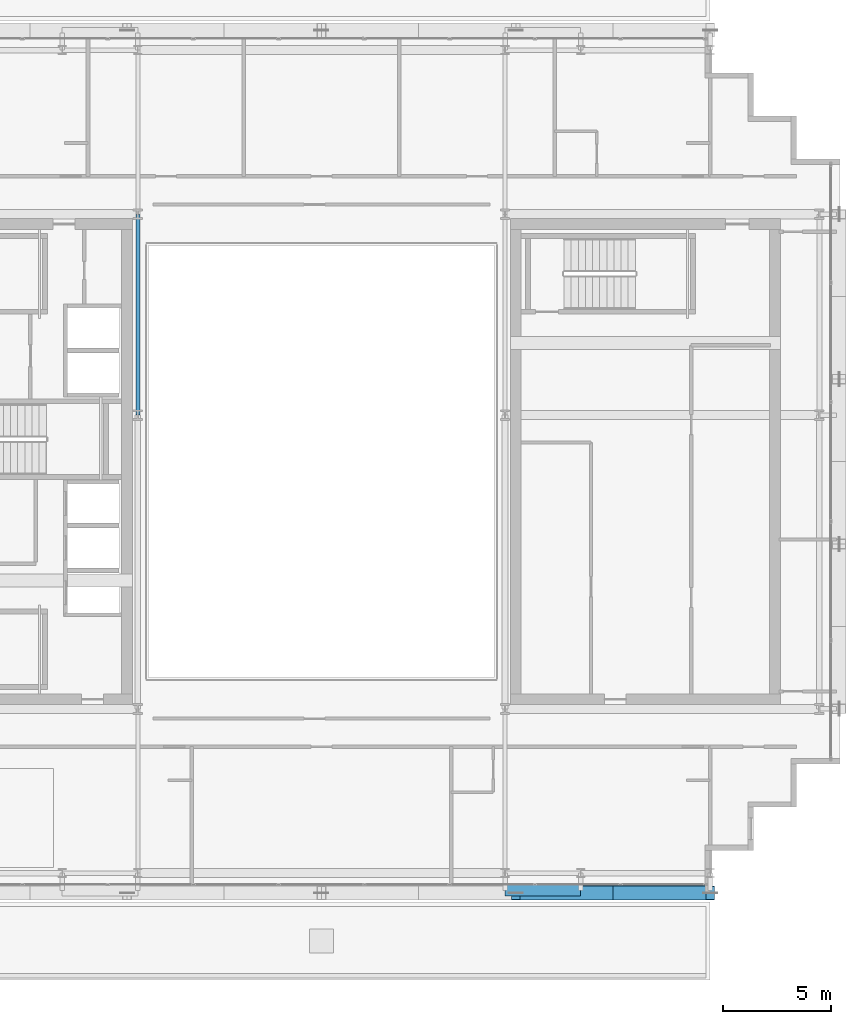
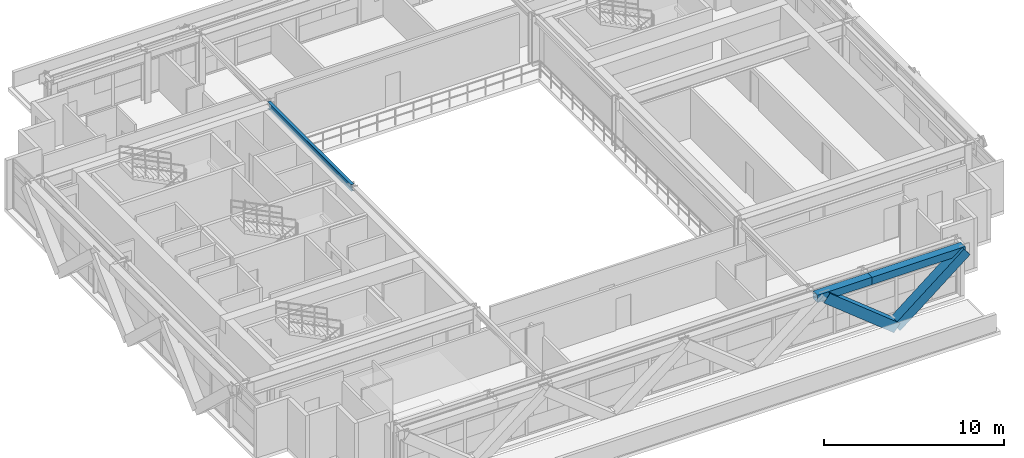
# One storey, part 9 of 34: 3 beams, 2 members.
"""IFC4 building model written with IfcOpenShell, lengths in metres."""

import ifcopenshell
import ifcopenshell.guid

model = None  # the IFC model being written
_history = None  # IfcOwnerHistory: only IFC2X3 demands one
_inside = {}  # id of a spatial element -> (the spatial element, [elements in it])
_under = {}  # id of a project, library or spatial element -> (it, [spatial elements below it])
_declared = {}  # id of a project -> (the project, [libraries it declares])
_typed = {}  # id of a type object -> (the type object, [elements of that type])
_made_of = {}  # id of a material, layer set ... -> (it, [elements and type objects made of it])


def new_model(schema):
    """Start an empty IFC model of exactly this schema.

    Asked for "IFC4X3", IfcOpenShell would pick the latest addendum, in which some entities
    have other attributes; the version numbers below select the first issue.
    IFC2X3 requires an IfcOwnerHistory on every rooted entity: one is made here for all.
    """
    global model, _history
    if schema == "IFC4X3":
        model = ifcopenshell.file(schema_version=(4, 3, 0, 0))
    else:
        model = ifcopenshell.file(schema=schema)
    _inside.clear()
    _under.clear()
    _declared.clear()
    _typed.clear()
    _made_of.clear()
    _history = None
    if model.schema == "IFC2X3":
        org = make("IfcOrganization", Name="unknown")
        user = make(
            "IfcPersonAndOrganization",
            ThePerson=make("IfcPerson", FamilyName="unknown"),
            TheOrganization=org,
        )
        app = make(
            "IfcApplication",
            ApplicationDeveloper=org,
            Version="unknown",
            ApplicationFullName="unknown",
            ApplicationIdentifier="unknown",
        )
        _history = make(
            "IfcOwnerHistory",
            OwningUser=user,
            OwningApplication=app,
            ChangeAction="ADDED",
            CreationDate=0,
        )
    return model


def make(cls, **values):
    """One entity of the class cls with the attributes given. An attribute that is None is left unset."""
    return model.create_entity(
        cls, **{name: value for name, value in values.items() if value is not None}
    )


def rooted(cls, **values):
    """An entity with a GlobalId (a new one), such as an element, a storey or a relation."""
    return make(cls, GlobalId=ifcopenshell.guid.new(), OwnerHistory=_history, **values)


def si_unit(unit_type, name, prefix=None):
    """IfcSIUnit, for example si_unit("LENGTHUNIT", "METRE", prefix="MILLI")."""
    return make("IfcSIUnit", UnitType=unit_type, Prefix=prefix, Name=name)


def assignment(units):
    """IfcUnitAssignment: the units of a project."""
    return None if units is None else make("IfcUnitAssignment", Units=units)


def point(xyz):
    """IfcCartesianPoint."""
    return None if xyz is None else make("IfcCartesianPoint", Coordinates=xyz)


def direction(xyz):
    """IfcDirection."""
    return None if xyz is None else make("IfcDirection", DirectionRatios=xyz)


def frame(location, z_axis=None, x_axis=None):
    """IfcAxis2Placement3D, a coordinate frame: its origin and axes. An axis left out is left unset."""
    return make(
        "IfcAxis2Placement3D",
        Location=point(location),
        Axis=direction(z_axis),
        RefDirection=direction(x_axis),
    )


def frame_2d(location, x_axis=None):
    """IfcAxis2Placement2D, a coordinate frame in the plane: its origin and x axis."""
    return make(
        "IfcAxis2Placement2D", Location=point(location), RefDirection=direction(x_axis)
    )


def origin():
    """The frame at (0, 0, 0) with its axes left unset."""
    return frame((0.0, 0.0, 0.0))


def origin_2d():
    """The frame at (0, 0) in the plane with its x axis left unset."""
    return frame_2d((0.0, 0.0))


def place(relative_to, where):
    """IfcLocalPlacement: puts the frame where relative to a parent placement (None: the world)."""
    return make(
        "IfcLocalPlacement", PlacementRelTo=relative_to, RelativePlacement=where
    )


def context(
    kind, dimensions, precision=None, world=None, true_north=None, identifier=None
):
    """IfcGeometricRepresentationContext, for example the 3D "Model" context."""
    return make(
        "IfcGeometricRepresentationContext",
        ContextIdentifier=identifier,
        ContextType=kind,
        CoordinateSpaceDimension=dimensions,
        Precision=precision,
        WorldCoordinateSystem=world,
        TrueNorth=true_north,
    )


def subcontext(parent, identifier, kind, view, scale=None):
    """IfcGeometricRepresentationSubContext, for example "Body" below "Model"."""
    return make(
        "IfcGeometricRepresentationSubContext",
        ContextIdentifier=identifier,
        ContextType=kind,
        ParentContext=parent,
        TargetScale=scale,
        TargetView=view,
    )


def project(units=None, contexts=None):
    """IfcProject with its units and contexts."""
    return rooted(
        "IfcProject",
        Name="project",
        RepresentationContexts=contexts,
        UnitsInContext=assignment(units),
    )


def spatial(cls, under=None, at=None, **own):
    """A site, building, storey or space (cls), placed at a placement, below another one or the project."""
    s = rooted(cls, ObjectPlacement=at, **own)
    if under is not None:
        _under.setdefault(under.id(), (under, []))[1].append(s)
    return s


def profile(cls, at=None, kind="AREA", **sizes):
    """A parametric profile (cls). Its sizes go by their IFC names, for example OverallWidth=200.0."""
    return make(cls, ProfileType=kind, Position=at, **sizes)


def hollow_rectangle(**sizes):
    """IfcRectangleHollowProfileDef."""
    return profile("IfcRectangleHollowProfileDef", **sizes)


def i_section(**sizes):
    """IfcIShapeProfileDef."""
    return profile("IfcIShapeProfileDef", **sizes)


def extrude(swept, where, along, depth):
    """IfcExtrudedAreaSolid: the profile swept, set in the frame where, extruded along a direction by depth."""
    return make(
        "IfcExtrudedAreaSolid",
        SweptArea=swept,
        Position=where,
        ExtrudedDirection=direction(along),
        Depth=depth,
    )


def shape(context_of_items, identifier, shape_type, items):
    """IfcShapeRepresentation: the items that make up one representation, for example the "Body"."""
    return make(
        "IfcShapeRepresentation",
        ContextOfItems=context_of_items,
        RepresentationIdentifier=identifier,
        RepresentationType=shape_type,
        Items=items,
    )


def source(mapping_origin, context_of_items, identifier, shape_type, items):
    """IfcRepresentationMap: a shape defined once, which mapped items show again and again."""
    return make(
        "IfcRepresentationMap",
        MappingOrigin=mapping_origin,
        MappedRepresentation=shape(context_of_items, identifier, shape_type, items),
    )


def transform(
    local_origin,
    x_axis=None,
    y_axis=None,
    z_axis=None,
    scale=None,
    scale2=None,
    scale3=None,
    uniform=True,
):
    """IfcCartesianTransformationOperator3D, or its non-uniform kind. x_axis, y_axis, z_axis: its Axis1, 2, 3."""
    if uniform:
        return make(
            "IfcCartesianTransformationOperator3D",
            Axis1=direction(x_axis),
            Axis2=direction(y_axis),
            LocalOrigin=point(local_origin),
            Scale=scale,
            Axis3=direction(z_axis),
        )
    return make(
        "IfcCartesianTransformationOperator3DnonUniform",
        Axis1=direction(x_axis),
        Axis2=direction(y_axis),
        LocalOrigin=point(local_origin),
        Scale=scale,
        Axis3=direction(z_axis),
        Scale2=scale2,
        Scale3=scale3,
    )


def mapped(mapping_source, mapping_target):
    """IfcMappedItem: shows the shape of a source again, moved by a transform."""
    return make(
        "IfcMappedItem", MappingSource=mapping_source, MappingTarget=mapping_target
    )


def material(Name=None, Category=None):
    """IfcMaterial."""
    return make("IfcMaterial", Name=Name, Category=Category)


def material_profile(
    of_material, cross_section, Name=None, Category=None, Priority=None
):
    """IfcMaterialProfile: a cross section and its material."""
    return make(
        "IfcMaterialProfile",
        Name=Name,
        Material=of_material,
        Profile=cross_section,
        Priority=Priority,
        Category=Category,
    )


def profile_set(profiles, Name=None, composite=None):
    """IfcMaterialProfileSet."""
    return make(
        "IfcMaterialProfileSet",
        Name=Name,
        MaterialProfiles=profiles,
        CompositeProfile=composite,
    )


def made_of(thing, what):
    """Note that an element or type object is made of a material, layer set ...; save() writes the relation."""
    if what is not None:
        _made_of.setdefault(what.id(), (what, []))[1].append(thing)
    return thing


def type_object(cls, material=None, **own):
    """A type object (cls), such as IfcWallType, which elements share."""
    return made_of(rooted(cls, **own), material)


def element(
    cls,
    number,
    at=None,
    inside=None,
    cuts=None,
    type_object=None,
    material=None,
    context=None,
    identifier="Body",
    shape_type=None,
    held_by="IfcProductDefinitionShape",
    body=None,
    shapes=None,
    **own,
):
    """One element of the class cls, such as IfcWall. Its Tag is "e" and its number.

    at: its placement. inside: the storey or other place that contains it. cuts: it is an
    opening in that element (IfcRelVoidsElement). A single representation is given by context,
    identifier, shape_type and body (its items); several are given by shapes. held_by: the class
    of the entity that holds the representations. save() writes the other relations.
    """
    e = rooted(cls, Tag="e%d" % number, ObjectPlacement=at, **own)
    if body is not None:
        shapes = [shape(context, identifier, shape_type, body)]
    if shapes is not None:
        e.Representation = make(held_by, Representations=shapes)
    if inside is not None:
        _inside.setdefault(inside.id(), (inside, []))[1].append(e)
    if cuts is not None:
        rooted(
            "IfcRelVoidsElement", RelatingBuildingElement=cuts, RelatedOpeningElement=e
        )
    if type_object is not None:
        _typed.setdefault(type_object.id(), (type_object, []))[1].append(e)
    return made_of(e, material)


def aggregate(whole, parts):
    """IfcRelAggregates: a whole, such as a stair, and the parts it consists of."""
    return rooted("IfcRelAggregates", RelatingObject=whole, RelatedObjects=parts)


def save(model, path):
    """Write the relations noted so far, then the file.

    IfcRelAggregates (storeys below a building ...), IfcRelContainedInSpatialStructure (elements
    in a storey), IfcRelDefinesByType, IfcRelAssociatesMaterial and IfcRelDeclares: one each for
    every whole, place, type object, material and project.
    """
    for whole, parts in _under.values():
        aggregate(whole, parts)
    for where, things in _inside.values():
        rooted(
            "IfcRelContainedInSpatialStructure",
            RelatedElements=things,
            RelatingStructure=where,
        )
    for kind, things in _typed.values():
        rooted("IfcRelDefinesByType", RelatedObjects=things, RelatingType=kind)
    for what, things in _made_of.values():
        rooted("IfcRelAssociatesMaterial", RelatedObjects=things, RelatingMaterial=what)
    for by, libraries in _declared.values():
        rooted("IfcRelDeclares", RelatingContext=by, RelatedDefinitions=libraries)
    model.write(path)


model = new_model("IFC4")

# Units and contexts
model_context = context("Model", 3, precision=1e-05, world=origin(), true_north=direction((0.0, 1.0)))
body_context = subcontext(model_context, "Body", "Model", "MODEL_VIEW")
ifc_project = project(units=[si_unit("LENGTHUNIT", "METRE"), si_unit("AREAUNIT", "SQUARE_METRE"), si_unit("VOLUMEUNIT", "CUBIC_METRE"), si_unit("PLANEANGLEUNIT", "RADIAN"), si_unit("MASSUNIT", "GRAM", prefix="KILO")], contexts=[model_context])

# Site, building, storey
site_placement = place(None, origin())
site = spatial("IfcSite", under=ifc_project, at=site_placement, CompositionType="ELEMENT")
building_placement = place(site_placement, origin())
building = spatial("IfcBuilding", under=site, at=building_placement, Name="Ocotamira Hotel", CompositionType="ELEMENT")
storey_placement = place(building_placement, frame((0.0, 0.0, 163.199951171875)))
storey = spatial("IfcBuildingStorey", under=building, at=storey_placement, Name="L40", CompositionType="ELEMENT", Elevation=163.199951171875)

# Beams
ifc_material_1 = material(Name="Steel ASTM A992 Grade 50", Category="steel")
ifc_material_profile_1 = material_profile(ifc_material_1, i_section(OverallWidth=0.18994140625, OverallDepth=0.45703125, WebThickness=0.009033203125, FlangeThickness=0.014404296875, FilletRadius=0.010009765625, at=origin_2d()), Name="W18X50")
ifc_profile_set_1 = profile_set([ifc_material_profile_1], Name="Steel ASTM A992 Grade 50")
beam_type_1 = type_object("IfcBeamType", Name="BM-SEC-W18X50", PredefinedType="JOIST", material=ifc_profile_set_1)
shared_shape_1 = source(origin(), body_context, "Body", "SweptSolid", [
    extrude(i_section(OverallWidth=0.18994140625, OverallDepth=0.45703125, WebThickness=0.009033203125, FlangeThickness=0.014404296875, FilletRadius=0.010009765625, at=origin_2d()), origin(), (0.0, 0.0, 1.0), 9.300048828125),
])
beam_1_placement = place(storey_placement, frame((23.5, 28.14990234375, 3.1416015625), z_axis=(0.0, 1.0, 0.0), x_axis=(-1.0, 0.0, 0.0)))
element("IfcBeam", 1, at=beam_1_placement, inside=storey, type_object=beam_type_1, Name="L40 Beam X23.5 Y28.15-37.45", PredefinedType="JOIST", context=body_context, shape_type="MappedRepresentation", body=[
    mapped(shared_shape_1, transform((0.0, 0.0, 0.0), scale=1.0)),
])
ifc_material_2 = material(Name="Steel ASTM A500 Grade C", Category="steel")
ifc_material_profile_2 = material_profile(ifc_material_2, hollow_rectangle(XDim=0.5, YDim=0.5, WallThickness=0.02001953125, at=origin_2d()), Name="HSS500X500X20")
ifc_profile_set_2 = profile_set([ifc_material_profile_2], Name="Steel ASTM A500 Grade C")
beam_type_2 = type_object("IfcBeamType", Name="BM-SPAN-HSS500", PredefinedType="USERDEFINED", material=ifc_profile_set_2)
shared_shape_2 = source(origin(), body_context, "Body", "SweptSolid", [
    extrude(hollow_rectangle(XDim=0.5, YDim=0.5, WallThickness=0.02001953125, at=origin_2d()), origin(), (0.0, 0.0, 1.0), 6.0),
])
beam_2_placement = place(storey_placement, frame((44.0, 6.14990234375, 3.1201171875), z_axis=(1.0, 0.0, 0.0), x_axis=(0.0, 1.0, 0.0)))
element("IfcBeam", 2, at=beam_2_placement, inside=storey, type_object=beam_type_2, Name="L40 Edge Spandrel S X44-50", ObjectType="SPANDREL", PredefinedType="USERDEFINED", context=body_context, shape_type="MappedRepresentation", body=[
    mapped(shared_shape_2, transform((0.0, 0.0, 0.0), scale=1.0)),
])
shared_shape_3 = source(origin(), body_context, "Body", "SweptSolid", [
    extrude(hollow_rectangle(XDim=0.5, YDim=0.5, WallThickness=0.02001953125, at=origin_2d()), origin(), (0.0, 0.0, 1.0), 3.5),
])
beam_3_placement = place(storey_placement, frame((40.5, 6.14990234375, 3.1201171875), z_axis=(1.0, 0.0, 0.0), x_axis=(0.0, 1.0, 0.0)))
element("IfcBeam", 3, at=beam_3_placement, inside=storey, type_object=beam_type_2, Name="L40 Edge Spandrel S X40.5-44", ObjectType="SPANDREL", PredefinedType="USERDEFINED", context=body_context, shape_type="MappedRepresentation", body=[
    mapped(shared_shape_3, transform((0.0, 0.0, 0.0), scale=1.0)),
])

# Members
ifc_material_3 = material(Name="Pale-metal coated steel ASTM A913 Grade 65", Category="steel")
ifc_material_profile_3 = material_profile(ifc_material_3, hollow_rectangle(XDim=0.64990234375, YDim=0.64990234375, WallThickness=0.02197265625, at=origin_2d()), Name="BOX650X650X22")
ifc_profile_set_3 = profile_set([ifc_material_profile_3], Name="Pale-metal coated steel ASTM A913 Grade 65")
member_type = type_object("IfcMemberType", Name="MEM-EXO-BOX650", PredefinedType="BRACE", material=ifc_profile_set_3)
shared_shape_4 = source(origin(), body_context, "Body", "SweptSolid", [
    extrude(hollow_rectangle(XDim=0.64990234375, YDim=0.64990234375, WallThickness=0.02197265625, at=origin_2d()), origin(), (0.0, 0.0, 1.0), 5.762939453125),
])
for number, where, z_axis, x_axis, name in (
    (4, (45.5, 6.030029296875, -0.47998046875), (-0.780860543151, 0.0, 0.624705380279), (0.0, -1.0, 0.0), "L40 Exoskeleton Diagrid S3.1"),
    (5, (45.5, 6.030029296875, -0.47998046875), (0.780860543151, 0.0, 0.624705380279), (0.0, 1.0, 0.0), "L40 Exoskeleton Diagrid S3.2"),
):
    element("IfcMember", number, at=place(storey_placement, frame(where, z_axis=z_axis, x_axis=x_axis)), inside=storey, type_object=member_type, Name=name, PredefinedType="BRACE", context=body_context, shape_type="MappedRepresentation", body=[
        mapped(shared_shape_4, transform((0.0, 0.0, 0.0), scale=1.0)),
    ])

save(model, "model.ifc")
